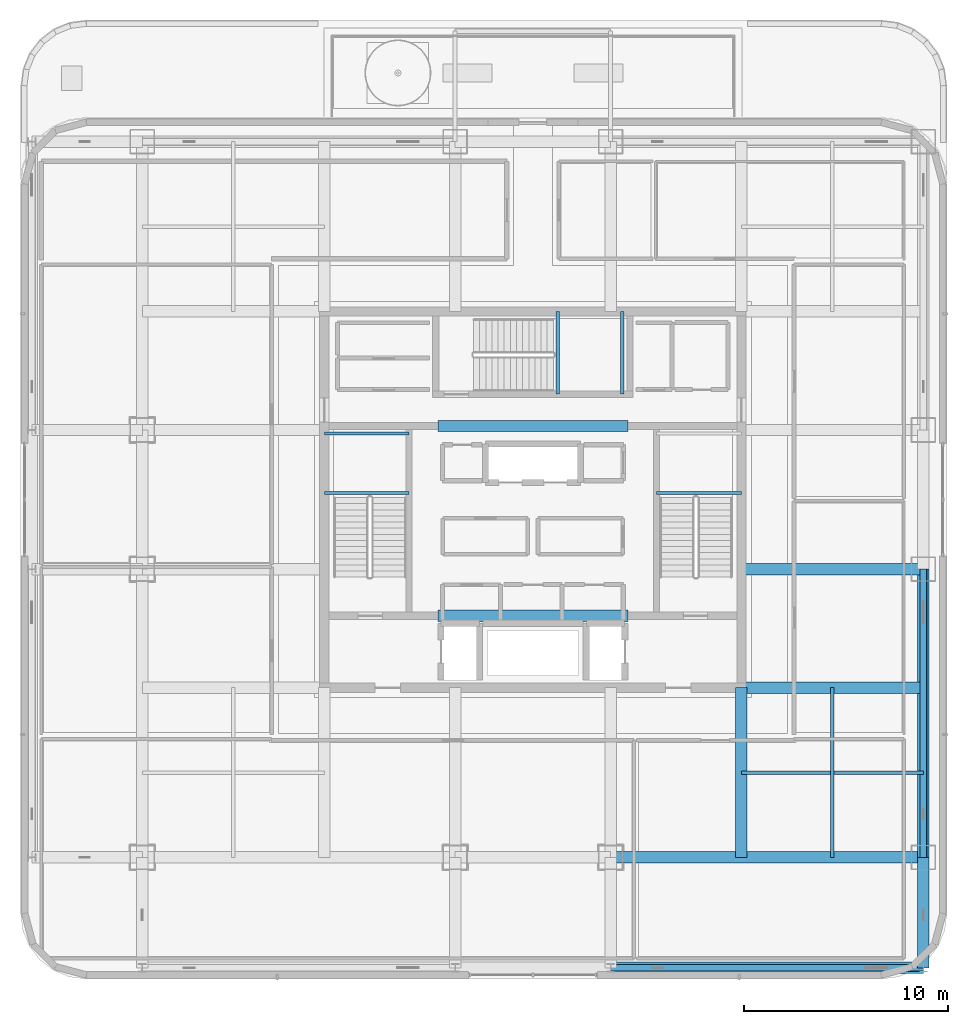
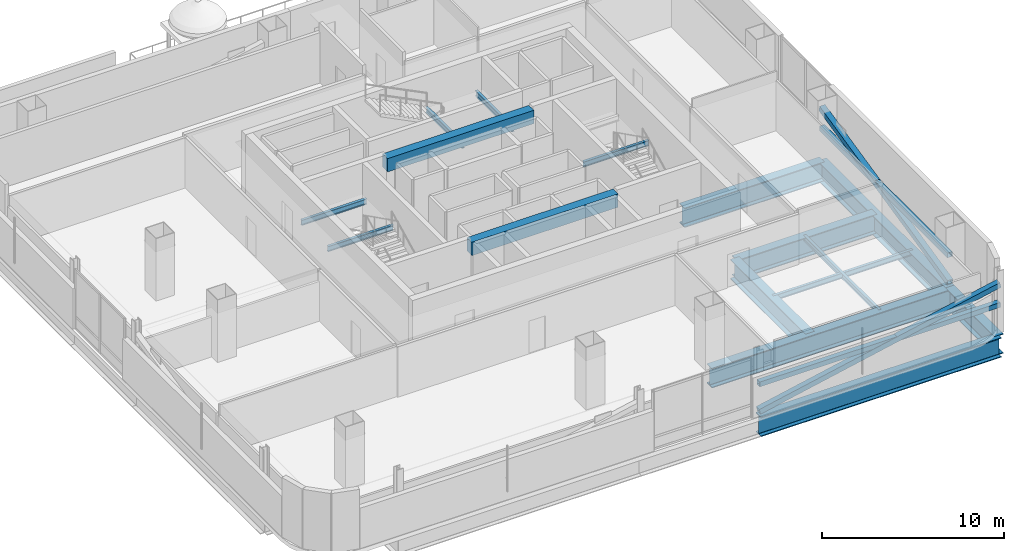
# One storey, part 6 of 28: 16 beams, 4 members.
"""IFC4 building model written with IfcOpenShell, lengths in metres."""

from ifc_helpers import new_model, si_unit, direction, frame, origin, origin_2d, place, context, subcontext, project, spatial, rectangle, hollow_rectangle, i_section, extrude, material, material_profile, profile_set, type_object, element, save


model = new_model("IFC4")

# Units and contexts
model_context = context("Model", 3, precision=1e-05, world=origin(), true_north=direction((0.0, 1.0)))
body_context = subcontext(model_context, "Body", "Model", "MODEL_VIEW")
ifc_project = project(units=[si_unit("LENGTHUNIT", "METRE"), si_unit("AREAUNIT", "SQUARE_METRE"), si_unit("VOLUMEUNIT", "CUBIC_METRE"), si_unit("PLANEANGLEUNIT", "RADIAN"), si_unit("MASSUNIT", "GRAM", prefix="KILO")], contexts=[model_context])

# Site, building, storey
site_placement = place(None, origin())
site = spatial("IfcSite", under=ifc_project, at=site_placement, CompositionType="ELEMENT")
building_placement = place(site_placement, origin())
building = spatial("IfcBuilding", under=site, at=building_placement, Name="Punatoya Terracotta Tower", CompositionType="ELEMENT")
storey_placement = place(building_placement, frame((0.0, 0.0, 317.39990234375)))
storey = spatial("IfcBuildingStorey", under=building, at=storey_placement, Name="L75", CompositionType="ELEMENT", Elevation=317.39990234375)

# Beams
ifc_material_1 = material(Name="Concrete C50/60", Category="concrete")
ifc_material_profile_1 = material_profile(ifc_material_1, rectangle(XDim=0.550048828125, YDim=0.89990234375, at=origin_2d()))
ifc_profile_set_1 = profile_set([ifc_material_profile_1], Name="Concrete C50/60")
beam_type_1 = type_object("IfcBeamType", Name="BM-RC-900", PredefinedType="LINTEL", material=ifc_profile_set_1)
for number, where, z_axis, x_axis, name in (
    (1, (-4.64990234375, -5.679931640625, 3.550048828125), (1.0, 0.0, 0.0), (0.0, 1.0, 0.0), "L75 Core Coupling Lintel CSW"),
    (2, (-4.64990234375, 3.60009765625, 3.550048828125), (1.0, 0.0, 0.0), (0.0, 1.0, 0.0), "L75 Core Coupling Lintel CNW"),
):
    element("IfcBeam", number, at=place(storey_placement, frame(where, z_axis=z_axis, x_axis=x_axis)), inside=storey, type_object=beam_type_1, Name=name, PredefinedType="LINTEL", context=body_context, shape_type="SweptSolid", body=[
        extrude(rectangle(XDim=0.550048828125, YDim=0.89990234375, at=origin_2d()), origin(), (0.0, 0.0, 1.0), 9.2998046875),
    ])
ifc_material_2 = material(Name="Steel S355", Category="steel")
ifc_material_profile_2 = material_profile(ifc_material_2, i_section(OverallWidth=0.169921875, OverallDepth=0.360107421875, WebThickness=0.008056640625, FlangeThickness=0.0126953125, FilletRadius=0.01806640625, at=origin_2d()))
ifc_profile_set_2 = profile_set([ifc_material_profile_2], Name="Steel S355")
beam_type_2 = type_object("IfcBeamType", Name="BM-SEC-360", PredefinedType="JOIST", material=ifc_profile_set_2)
beam_1_placement = place(storey_placement, frame((10.199951171875, -13.35009765625, -0.4599609375), z_axis=(1.0, 0.0, 0.0), x_axis=(0.0, 1.0, 0.0)))
element("IfcBeam", 3, at=beam_1_placement, inside=storey, type_object=beam_type_2, Name="BM-L75-SJS-2", PredefinedType="JOIST", context=body_context, shape_type="SweptSolid", body=[
    extrude(i_section(OverallWidth=0.169921875, OverallDepth=0.360107421875, WebThickness=0.008056640625, FlangeThickness=0.0126953125, FilletRadius=0.01806640625, at=origin_2d()), origin(), (0.0, 0.0, 1.0), 8.900146484375),
])
beam_2_placement = place(storey_placement, frame((14.64990234375, -17.5, -0.4599609375), z_axis=(0.0, 1.0, 0.0), x_axis=(-1.0, 0.0, 0.0)))
element("IfcBeam", 4, at=beam_2_placement, inside=storey, type_object=beam_type_2, Name="BM-L75-SJE-1", PredefinedType="JOIST", context=body_context, shape_type="SweptSolid", body=[
    extrude(i_section(OverallWidth=0.169921875, OverallDepth=0.360107421875, WebThickness=0.008056640625, FlangeThickness=0.0126953125, FilletRadius=0.01806640625, at=origin_2d()), origin(), (0.0, 0.0, 1.0), 8.300048828125),
])
for number, where, z_axis, x_axis, name in (
    (5, (-10.199951171875, 0.320068359375, 1.72021484375), (1.0, 0.0, 0.0), (0.0, 1.0, 0.0), "BM-L75-ST-1-LD1A"),
    (6, (-10.199951171875, 3.22998046875, 1.72021484375), (1.0, 0.0, 0.0), (0.0, 1.0, 0.0), "BM-L75-ST-1-LD1B"),
    (7, (6.050048828125, 0.320068359375, 1.72021484375), (1.0, 0.0, 0.0), (0.0, 1.0, 0.0), "BM-L75-ST-2-LD1A"),
):
    element("IfcBeam", number, at=place(storey_placement, frame(where, z_axis=z_axis, x_axis=x_axis)), inside=storey, type_object=beam_type_2, Name=name, PredefinedType="JOIST", context=body_context, shape_type="SweptSolid", body=[
        extrude(i_section(OverallWidth=0.169921875, OverallDepth=0.360107421875, WebThickness=0.008056640625, FlangeThickness=0.0126953125, FilletRadius=0.01806640625, at=origin_2d()), origin(), (0.0, 0.0, 1.0), 4.14990234375),
    ])
for number, where, z_axis, x_axis, name in (
    (8, (1.219970703125, 5.14990234375, 1.72021484375), (0.0, 1.0, 0.0), (-1.0, 0.0, 0.0), "BM-L75-ST-3-LD1A"),
    (9, (4.3798828125, 5.14990234375, 1.72021484375), (0.0, 1.0, 0.0), (-1.0, 0.0, 0.0), "BM-L75-ST-3-LD1B"),
):
    element("IfcBeam", number, at=place(storey_placement, frame(where, z_axis=z_axis, x_axis=x_axis)), inside=storey, type_object=beam_type_2, Name=name, PredefinedType="JOIST", context=body_context, shape_type="SweptSolid", body=[
        extrude(i_section(OverallWidth=0.169921875, OverallDepth=0.360107421875, WebThickness=0.008056640625, FlangeThickness=0.0126953125, FilletRadius=0.01806640625, at=origin_2d()), origin(), (0.0, 0.0, 1.0), 4.050048828125),
    ])
ifc_material_3 = material(Name="Steel S460", Category="steel")
ifc_material_profile_3 = material_profile(ifc_material_3, i_section(OverallWidth=0.56005859375, OverallDepth=1.320068359375, WebThickness=0.035888671875, FlangeThickness=0.054931640625, FilletRadius=0.01806640625, at=origin_2d()))
ifc_profile_set_3 = profile_set([ifc_material_profile_3], Name="Steel S460")
beam_type_3 = type_object("IfcBeamType", Name="BM-TG-BLK", PredefinedType="BEAM", material=ifc_profile_set_3)
beam_3_placement = place(storey_placement, frame((3.800048828125, -17.5, -0.93994140625), z_axis=(1.0, 0.0, 0.0), x_axis=(0.0, 1.0, 0.0)))
element("IfcBeam", 10, at=beam_3_placement, inside=storey, type_object=beam_type_3, Name="BM-L75-RG-S3", PredefinedType="BEAM", context=body_context, shape_type="SweptSolid", body=[
    extrude(i_section(OverallWidth=0.56005859375, OverallDepth=1.320068359375, WebThickness=0.035888671875, FlangeThickness=0.054931640625, FilletRadius=0.01806640625, at=origin_2d()), origin(), (0.0, 0.0, 1.0), 15.300048828125),
])
beam_4_placement = place(storey_placement, frame((19.10009765625, -17.5, -0.93994140625), z_axis=(0.0, 1.0, 0.0), x_axis=(-1.0, 0.0, 0.0)))
element("IfcBeam", 11, at=beam_4_placement, inside=storey, type_object=beam_type_3, Name="BM-L75-RG-E1", PredefinedType="BEAM", context=body_context, shape_type="SweptSolid", body=[
    extrude(i_section(OverallWidth=0.56005859375, OverallDepth=1.320068359375, WebThickness=0.035888671875, FlangeThickness=0.054931640625, FilletRadius=0.01806640625, at=origin_2d()), origin(), (0.0, 0.0, 1.0), 14.10009765625),
])
for number, where, z_axis, x_axis, name in (
    (12, (10.199951171875, -9.199951171875, -0.93994140625), (1.0, 0.0, 0.0), (0.0, 1.0, 0.0), "BM-L75-PR-ES"),
    (13, (10.199951171875, -3.39990234375, -0.93994140625), (1.0, 0.0, 0.0), (0.0, 1.0, 0.0), "BM-L75-PR-ED"),
):
    element("IfcBeam", number, at=place(storey_placement, frame(where, z_axis=z_axis, x_axis=x_axis)), inside=storey, type_object=beam_type_3, Name=name, PredefinedType="BEAM", context=body_context, shape_type="SweptSolid", body=[
        extrude(i_section(OverallWidth=0.56005859375, OverallDepth=1.320068359375, WebThickness=0.035888671875, FlangeThickness=0.054931640625, FilletRadius=0.01806640625, at=origin_2d()), origin(), (0.0, 0.0, 1.0), 8.900146484375),
    ])
beam_5_placement = place(storey_placement, frame((10.199951171875, -17.5, -0.93994140625), z_axis=(0.0, 1.0, 0.0), x_axis=(-1.0, 0.0, 0.0)))
element("IfcBeam", 14, at=beam_5_placement, inside=storey, type_object=beam_type_3, Name="BM-L75-PR-S4", PredefinedType="BEAM", context=body_context, shape_type="SweptSolid", body=[
    extrude(i_section(OverallWidth=0.56005859375, OverallDepth=1.320068359375, WebThickness=0.035888671875, FlangeThickness=0.054931640625, FilletRadius=0.01806640625, at=origin_2d()), origin(), (0.0, 0.0, 1.0), 8.300048828125),
])
beam_6_placement = place(storey_placement, frame((19.10009765625, -22.89990234375, -0.93994140625), z_axis=(0.0, 1.0, 0.0), x_axis=(-1.0, 0.0, 0.0)))
element("IfcBeam", 15, at=beam_6_placement, inside=storey, type_object=beam_type_3, Name="BM-L75-CANT-S4", PredefinedType="BEAM", context=body_context, shape_type="SweptSolid", body=[
    extrude(i_section(OverallWidth=0.56005859375, OverallDepth=1.320068359375, WebThickness=0.035888671875, FlangeThickness=0.054931640625, FilletRadius=0.01806640625, at=origin_2d()), origin(), (0.0, 0.0, 1.0), 5.39990234375),
])
beam_7_placement = place(storey_placement, frame((3.800048828125, -22.89990234375, -0.93994140625), z_axis=(1.0, 0.0, 0.0), x_axis=(0.0, 1.0, 0.0)))
element("IfcBeam", 16, at=beam_7_placement, inside=storey, type_object=beam_type_3, Name="BM-L75-PER-S3", PredefinedType="BEAM", context=body_context, shape_type="SweptSolid", body=[
    extrude(i_section(OverallWidth=0.56005859375, OverallDepth=1.320068359375, WebThickness=0.035888671875, FlangeThickness=0.054931640625, FilletRadius=0.01806640625, at=origin_2d()), origin(), (0.0, 0.0, 1.0), 15.300048828125),
])

# Members
ifc_material_profile_4 = material_profile(ifc_material_3, hollow_rectangle(XDim=0.320068359375, YDim=0.320068359375, WallThickness=0.01806640625, at=origin_2d()))
ifc_profile_set_4 = profile_set([ifc_material_profile_4], Name="Steel S460")
member_type_1 = type_object("IfcMemberType", Name="MEM-CHD-320", PredefinedType="CHORD", material=ifc_profile_set_4)
member_1_placement = place(storey_placement, frame((3.800048828125, -22.89990234375, 1.85009765625), z_axis=(1.0, 0.0, 0.0), x_axis=(0.0, 1.0, 0.0)))
element("IfcMember", 17, at=member_1_placement, inside=storey, type_object=member_type_1, Name="L75 Exoskeleton Belt Truss Tie Chord S3", PredefinedType="CHORD", context=body_context, shape_type="SweptSolid", body=[
    extrude(hollow_rectangle(XDim=0.320068359375, YDim=0.320068359375, WallThickness=0.01806640625, at=origin_2d()), origin(), (0.0, 0.0, 1.0), 15.300048828125),
])
member_2_placement = place(storey_placement, frame((19.10009765625, -17.5, 1.85009765625), z_axis=(0.0, 1.0, 0.0), x_axis=(-1.0, 0.0, 0.0)))
element("IfcMember", 18, at=member_2_placement, inside=storey, type_object=member_type_1, Name="L75 Exoskeleton Belt Truss Tie Chord E1", PredefinedType="CHORD", context=body_context, shape_type="SweptSolid", body=[
    extrude(hollow_rectangle(XDim=0.320068359375, YDim=0.320068359375, WallThickness=0.01806640625, at=origin_2d()), origin(), (0.0, 0.0, 1.0), 14.10009765625),
])
ifc_material_profile_5 = material_profile(ifc_material_3, hollow_rectangle(XDim=0.35009765625, YDim=0.35009765625, WallThickness=0.01806640625, at=origin_2d()))
ifc_profile_set_5 = profile_set([ifc_material_profile_5], Name="Steel S460")
member_type_2 = type_object("IfcMemberType", Name="MEM-EXO-350", PredefinedType="BRACE", material=ifc_profile_set_5)
member_3_placement = place(storey_placement, frame((3.800048828125, -22.89990234375, 0.02001953125), z_axis=(0.979074028043, 0.0, 0.203504416686), x_axis=(0.0, 1.0, 0.0)))
element("IfcMember", 19, at=member_3_placement, inside=storey, type_object=member_type_2, Name="L75 Exoskeleton Belt Brace S3", PredefinedType="BRACE", context=body_context, shape_type="SweptSolid", body=[
    extrude(hollow_rectangle(XDim=0.35009765625, YDim=0.35009765625, WallThickness=0.01806640625, at=origin_2d()), origin(), (0.0, 0.0, 1.0), 15.626953125),
])
member_4_placement = place(storey_placement, frame((19.10009765625, -17.5, 0.02001953125), z_axis=(0.0, 0.975496225181, 0.220016169083), x_axis=(-1.0, 0.0, 0.0)))
element("IfcMember", 20, at=member_4_placement, inside=storey, type_object=member_type_2, Name="L75 Exoskeleton Belt Brace E1", PredefinedType="BRACE", context=body_context, shape_type="SweptSolid", body=[
    extrude(hollow_rectangle(XDim=0.35009765625, YDim=0.35009765625, WallThickness=0.01806640625, at=origin_2d()), origin(), (0.0, 0.0, 1.0), 14.454345703125),
])

save(model, "model.ifc")
